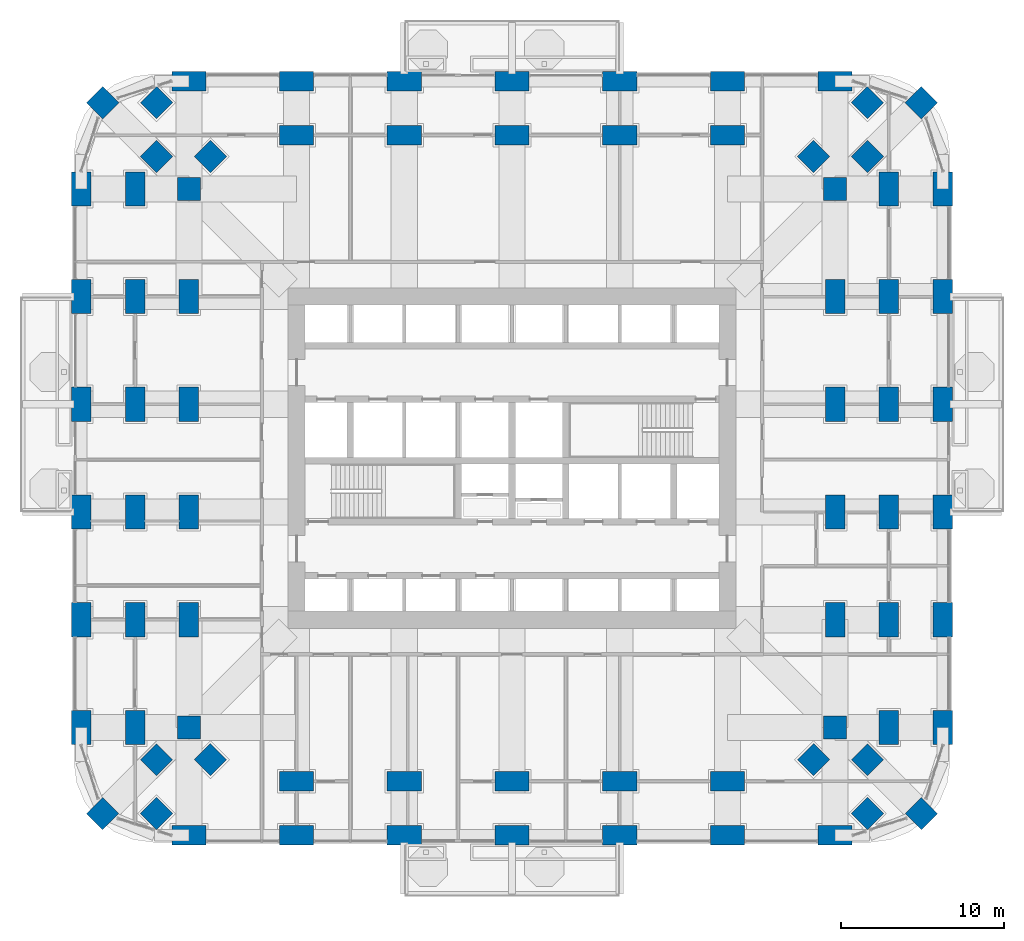
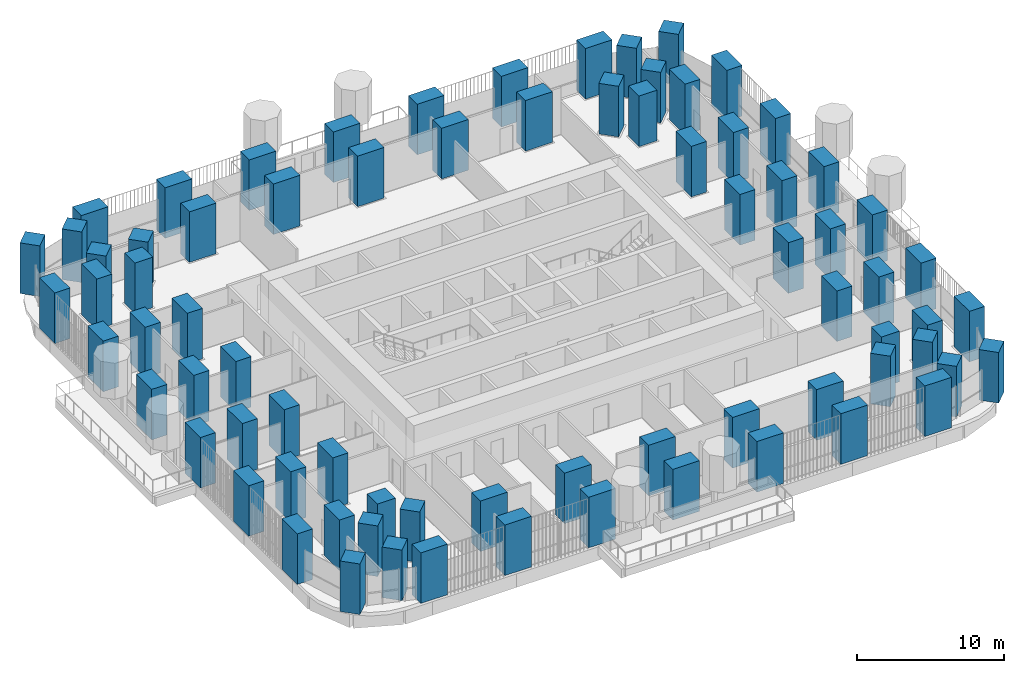
# One storey, part 1 of 26: 76 columns.
"""IFC4 building model written with IfcOpenShell, lengths in metres."""

from ifc_helpers import new_model, si_unit, direction, frame, origin, origin_2d, place, context, subcontext, project, spatial, rectangle, extrude, material, material_profile, profile_set, type_object, element, save


model = new_model("IFC4")

# Units and contexts
model_context = context("Model", 3, precision=1e-05, world=origin(), true_north=direction((0.0, 1.0)))
body_context = subcontext(model_context, "Body", "Model", "MODEL_VIEW")
ifc_project = project(units=[si_unit("LENGTHUNIT", "METRE"), si_unit("AREAUNIT", "SQUARE_METRE"), si_unit("VOLUMEUNIT", "CUBIC_METRE"), si_unit("PLANEANGLEUNIT", "RADIAN"), si_unit("MASSUNIT", "GRAM", prefix="KILO")], contexts=[model_context])

# Site, building, storey
site_placement = place(None, origin())
site = spatial("IfcSite", under=ifc_project, at=site_placement, CompositionType="ELEMENT")
building_placement = place(site_placement, origin())
building = spatial("IfcBuilding", under=site, at=building_placement, Name="Cobogo Forest Laboratory Tower", CompositionType="ELEMENT")
storey_placement = place(building_placement, frame((0.0, 0.0, 59.10009765625)))
storey = spatial("IfcBuildingStorey", under=building, at=storey_placement, Name="L13", CompositionType="ELEMENT", Elevation=59.10009765625)

# Columns
ifc_material = material(Name="Concrete HA-50 (C50/60)", Category="concrete")
ifc_material_profile_1 = material_profile(ifc_material, rectangle(XDim=2.10009765625, YDim=1.199951171875, at=origin_2d()), Name="RC 1200x2100")
ifc_profile_set_1 = profile_set([ifc_material_profile_1], Name="Concrete HA-50 (C50/60)")
column_type_1 = type_object("IfcColumnType", Name="Blade column 1200x2100", PredefinedType="COLUMN", material=ifc_profile_set_1)
for number, where, z_axis, x_axis, name in (
    (1, (6.60009765625, 0.0, 0.0), (0.0, 0.0, 1.0), (1.0, 0.0, 0.0), "Column 2-A L13"),
    (2, (13.199951171875, 0.0, 0.0), (0.0, 0.0, 1.0), (1.0, 0.0, 0.0), "Column 3-A L13"),
    (3, (19.800048828125, 0.0, 0.0), (0.0, 0.0, 1.0), (1.0, 0.0, 0.0), "Column 4-A L13"),
    (4, (26.39990234375, 0.0, 0.0), (0.0, 0.0, 1.0), (1.0, 0.0, 0.0), "Column 5-A L13"),
    (5, (33.0, 0.0, 0.0), (0.0, 0.0, 1.0), (1.0, 0.0, 0.0), "Column 6-A L13"),
    (6, (39.60009765625, 0.0, 0.0), (0.0, 0.0, 1.0), (1.0, 0.0, 0.0), "Column 7-A L13"),
    (7, (46.199951171875, 0.0, 0.0), (0.0, 0.0, 1.0), (1.0, 0.0, 0.0), "Column 8-A L13"),
    (8, (0.0, 6.60009765625, 0.0), (0.0, 0.0, 1.0), (0.0, 1.0, 0.0), "Column 1-B L13"),
    (9, (52.800048828125, 6.60009765625, 0.0), (0.0, 0.0, 1.0), (0.0, 1.0, 0.0), "Column 9-B L13"),
    (10, (0.0, 13.199951171875, 0.0), (0.0, 0.0, 1.0), (0.0, 1.0, 0.0), "Column 1-C L13"),
    (11, (52.800048828125, 13.199951171875, 0.0), (0.0, 0.0, 1.0), (0.0, 1.0, 0.0), "Column 9-C L13"),
    (12, (0.0, 19.800048828125, 0.0), (0.0, 0.0, 1.0), (0.0, 1.0, 0.0), "Column 1-D L13"),
    (13, (52.800048828125, 19.800048828125, 0.0), (0.0, 0.0, 1.0), (0.0, 1.0, 0.0), "Column 9-D L13"),
    (14, (0.0, 26.39990234375, 0.0), (0.0, 0.0, 1.0), (0.0, 1.0, 0.0), "Column 1-E L13"),
    (15, (52.800048828125, 26.39990234375, 0.0), (0.0, 0.0, 1.0), (0.0, 1.0, 0.0), "Column 9-E L13"),
    (16, (0.0, 33.0, 0.0), (0.0, 0.0, 1.0), (0.0, 1.0, 0.0), "Column 1-F L13"),
    (17, (52.800048828125, 33.0, 0.0), (0.0, 0.0, 1.0), (0.0, 1.0, 0.0), "Column 9-F L13"),
    (18, (0.0, 39.60009765625, 0.0), (0.0, 0.0, 1.0), (0.0, 1.0, 0.0), "Column 1-G L13"),
    (19, (52.800048828125, 39.60009765625, 0.0), (0.0, 0.0, 1.0), (0.0, 1.0, 0.0), "Column 9-G L13"),
    (20, (6.60009765625, 46.199951171875, 0.0), (0.0, 0.0, 1.0), (1.0, 0.0, 0.0), "Column 2-H L13"),
    (21, (13.199951171875, 46.199951171875, 0.0), (0.0, 0.0, 1.0), (1.0, 0.0, 0.0), "Column 3-H L13"),
    (22, (19.800048828125, 46.199951171875, 0.0), (0.0, 0.0, 1.0), (1.0, 0.0, 0.0), "Column 4-H L13"),
    (23, (26.39990234375, 46.199951171875, 0.0), (0.0, 0.0, 1.0), (1.0, 0.0, 0.0), "Column 5-H L13"),
    (24, (33.0, 46.199951171875, 0.0), (0.0, 0.0, 1.0), (1.0, 0.0, 0.0), "Column 6-H L13"),
    (25, (39.60009765625, 46.199951171875, 0.0), (0.0, 0.0, 1.0), (1.0, 0.0, 0.0), "Column 7-H L13"),
    (26, (46.199951171875, 46.199951171875, 0.0), (0.0, 0.0, 1.0), (1.0, 0.0, 0.0), "Column 8-H L13"),
    (27, (3.300048828125, 6.60009765625, 0.0), (0.0, 0.0, 1.0), (0.0, 1.0, 0.0), "Column 1.1-B-B L13"),
    (28, (49.5, 6.60009765625, 0.0), (0.0, 0.0, 1.0), (0.0, 1.0, 0.0), "Column 8.1-B-B L13"),
    (29, (3.300048828125, 13.199951171875, 0.0), (0.0, 0.0, 1.0), (0.0, 1.0, 0.0), "Column 1.1-C-B L13"),
    (30, (49.5, 13.199951171875, 0.0), (0.0, 0.0, 1.0), (0.0, 1.0, 0.0), "Column 8.1-C-B L13"),
    (31, (3.300048828125, 19.800048828125, 0.0), (0.0, 0.0, 1.0), (0.0, 1.0, 0.0), "Column 1.1-D-B L13"),
    (32, (49.5, 19.800048828125, 0.0), (0.0, 0.0, 1.0), (0.0, 1.0, 0.0), "Column 8.1-D-B L13"),
    (33, (3.300048828125, 26.39990234375, 0.0), (0.0, 0.0, 1.0), (0.0, 1.0, 0.0), "Column 1.1-E-B L13"),
    (34, (49.5, 26.39990234375, 0.0), (0.0, 0.0, 1.0), (0.0, 1.0, 0.0), "Column 8.1-E-B L13"),
    (35, (3.300048828125, 33.0, 0.0), (0.0, 0.0, 1.0), (0.0, 1.0, 0.0), "Column 1.1-F-B L13"),
    (36, (49.5, 33.0, 0.0), (0.0, 0.0, 1.0), (0.0, 1.0, 0.0), "Column 8.1-F-B L13"),
    (37, (3.300048828125, 39.60009765625, 0.0), (0.0, 0.0, 1.0), (0.0, 1.0, 0.0), "Column 1.1-G-B L13"),
    (38, (49.5, 39.60009765625, 0.0), (0.0, 0.0, 1.0), (0.0, 1.0, 0.0), "Column 8.1-G-B L13"),
    (39, (13.199951171875, 3.300048828125, 0.0), (0.0, 0.0, 1.0), (1.0, 0.0, 0.0), "Column 3-A.1-C L13"),
    (40, (19.800048828125, 3.300048828125, 0.0), (0.0, 0.0, 1.0), (1.0, 0.0, 0.0), "Column 4-A.1-C L13"),
    (41, (26.39990234375, 3.300048828125, 0.0), (0.0, 0.0, 1.0), (1.0, 0.0, 0.0), "Column 5-A.1-C L13"),
    (42, (33.0, 3.300048828125, 0.0), (0.0, 0.0, 1.0), (1.0, 0.0, 0.0), "Column 6-A.1-C L13"),
    (43, (39.60009765625, 3.300048828125, 0.0), (0.0, 0.0, 1.0), (1.0, 0.0, 0.0), "Column 7-A.1-C L13"),
    (44, (13.199951171875, 42.89990234375, 0.0), (0.0, 0.0, 1.0), (1.0, 0.0, 0.0), "Column 3-G.1-C L13"),
    (45, (19.800048828125, 42.89990234375, 0.0), (0.0, 0.0, 1.0), (1.0, 0.0, 0.0), "Column 4-G.1-C L13"),
    (46, (26.39990234375, 42.89990234375, 0.0), (0.0, 0.0, 1.0), (1.0, 0.0, 0.0), "Column 5-G.1-C L13"),
    (47, (33.0, 42.89990234375, 0.0), (0.0, 0.0, 1.0), (1.0, 0.0, 0.0), "Column 6-G.1-C L13"),
    (48, (39.60009765625, 42.89990234375, 0.0), (0.0, 0.0, 1.0), (1.0, 0.0, 0.0), "Column 7-G.1-C L13"),
    (49, (6.60009765625, 13.199951171875, 0.0), (0.0, 0.0, 1.0), (0.0, 1.0, 0.0), "Column 2-C-D L13"),
    (50, (46.199951171875, 13.199951171875, 0.0), (0.0, 0.0, 1.0), (0.0, 1.0, 0.0), "Column 8-C-D L13"),
    (51, (6.60009765625, 19.800048828125, 0.0), (0.0, 0.0, 1.0), (0.0, 1.0, 0.0), "Column 2-D-D L13"),
    (52, (46.199951171875, 19.800048828125, 0.0), (0.0, 0.0, 1.0), (0.0, 1.0, 0.0), "Column 8-D-D L13"),
    (53, (6.60009765625, 26.39990234375, 0.0), (0.0, 0.0, 1.0), (0.0, 1.0, 0.0), "Column 2-E-D L13"),
    (54, (46.199951171875, 26.39990234375, 0.0), (0.0, 0.0, 1.0), (0.0, 1.0, 0.0), "Column 8-E-D L13"),
    (55, (6.60009765625, 33.0, 0.0), (0.0, 0.0, 1.0), (0.0, 1.0, 0.0), "Column 2-F-D L13"),
    (56, (46.199951171875, 33.0, 0.0), (0.0, 0.0, 1.0), (0.0, 1.0, 0.0), "Column 8-F-D L13"),
):
    element("IfcColumn", number, at=place(storey_placement, frame(where, z_axis=z_axis, x_axis=x_axis)), inside=storey, type_object=column_type_1, Name=name, PredefinedType="COLUMN", context=body_context, shape_type="SweptSolid", body=[
        extrude(rectangle(XDim=2.10009765625, YDim=1.199951171875, at=origin_2d()), origin(), (0.0, 0.0, 1.0), 4.199951171875),
    ])
ifc_material_profile_2 = material_profile(ifc_material, rectangle(XDim=1.39990234375, YDim=1.39990234375, at=origin_2d()), Name="RC 1400x1400")
ifc_profile_set_2 = profile_set([ifc_material_profile_2], Name="Concrete HA-50 (C50/60)")
column_type_2 = type_object("IfcColumnType", Name="Column 1400x1400", PredefinedType="COLUMN", material=ifc_profile_set_2)
for number, where, z_axis, x_axis, name in (
    (57, (1.318115234375, 1.318115234375, 0.0), (0.0, 0.0, 1.0), (0.707106781187, 0.707106781187, 0.0), "Column CNR-SW L13"),
    (58, (51.48193359375, 1.318115234375, 0.0), (0.0, 0.0, 1.0), (0.707106781187, 0.707106781187, 0.0), "Column CNR-SE L13"),
    (59, (1.318115234375, 44.882080078125, 0.0), (0.0, 0.0, 1.0), (0.707106781187, 0.707106781187, 0.0), "Column CNR-NW L13"),
    (60, (51.48193359375, 44.882080078125, 0.0), (0.0, 0.0, 1.0), (0.707106781187, 0.707106781187, 0.0), "Column CNR-NE L13"),
    (61, (6.60009765625, 6.60009765625, 0.0), (0.0, 0.0, 1.0), (1.0, 0.0, 0.0), "Column 2-B L13"),
    (62, (46.199951171875, 6.60009765625, 0.0), (0.0, 0.0, 1.0), (1.0, 0.0, 0.0), "Column 8-B L13"),
    (63, (6.60009765625, 39.60009765625, 0.0), (0.0, 0.0, 1.0), (1.0, 0.0, 0.0), "Column 2-G L13"),
    (64, (46.199951171875, 39.60009765625, 0.0), (0.0, 0.0, 1.0), (1.0, 0.0, 0.0), "Column 8-G L13"),
    (65, (4.617919921875, 1.318115234375, 0.0), (0.0, 0.0, 1.0), (0.707106781187, 0.707106781187, 0.0), "Column CNR-SW-B L13"),
    (66, (48.181884765625, 1.318115234375, 0.0), (0.0, 0.0, 1.0), (0.707106781187, 0.707106781187, 0.0), "Column CNR-SE-B L13"),
    (67, (4.617919921875, 44.882080078125, 0.0), (0.0, 0.0, 1.0), (0.707106781187, 0.707106781187, 0.0), "Column CNR-NW-B L13"),
    (68, (48.181884765625, 44.882080078125, 0.0), (0.0, 0.0, 1.0), (0.707106781187, 0.707106781187, 0.0), "Column CNR-NE-B L13"),
    (69, (4.617919921875, 4.617919921875, 0.0), (0.0, 0.0, 1.0), (0.707106781187, 0.707106781187, 0.0), "Column CNR-SW-C L13"),
    (70, (48.181884765625, 4.617919921875, 0.0), (0.0, 0.0, 1.0), (0.707106781187, 0.707106781187, 0.0), "Column CNR-SE-C L13"),
    (71, (4.617919921875, 41.58203125, 0.0), (0.0, 0.0, 1.0), (0.707106781187, 0.707106781187, 0.0), "Column CNR-NW-C L13"),
    (72, (48.181884765625, 41.58203125, 0.0), (0.0, 0.0, 1.0), (0.707106781187, 0.707106781187, 0.0), "Column CNR-NE-C L13"),
    (73, (7.91796875, 4.617919921875, 0.0), (0.0, 0.0, 1.0), (0.707106781187, 0.707106781187, 0.0), "Column CNR-SW-D L13"),
    (74, (44.882080078125, 4.617919921875, 0.0), (0.0, 0.0, 1.0), (0.707106781187, 0.707106781187, 0.0), "Column CNR-SE-D L13"),
    (75, (7.91796875, 41.58203125, 0.0), (0.0, 0.0, 1.0), (0.707106781187, 0.707106781187, 0.0), "Column CNR-NW-D L13"),
    (76, (44.882080078125, 41.58203125, 0.0), (0.0, 0.0, 1.0), (0.707106781187, 0.707106781187, 0.0), "Column CNR-NE-D L13"),
):
    element("IfcColumn", number, at=place(storey_placement, frame(where, z_axis=z_axis, x_axis=x_axis)), inside=storey, type_object=column_type_2, Name=name, PredefinedType="COLUMN", context=body_context, shape_type="SweptSolid", body=[
        extrude(rectangle(XDim=1.39990234375, YDim=1.39990234375, at=origin_2d()), origin(), (0.0, 0.0, 1.0), 4.199951171875),
    ])

save(model, "model.ifc")
